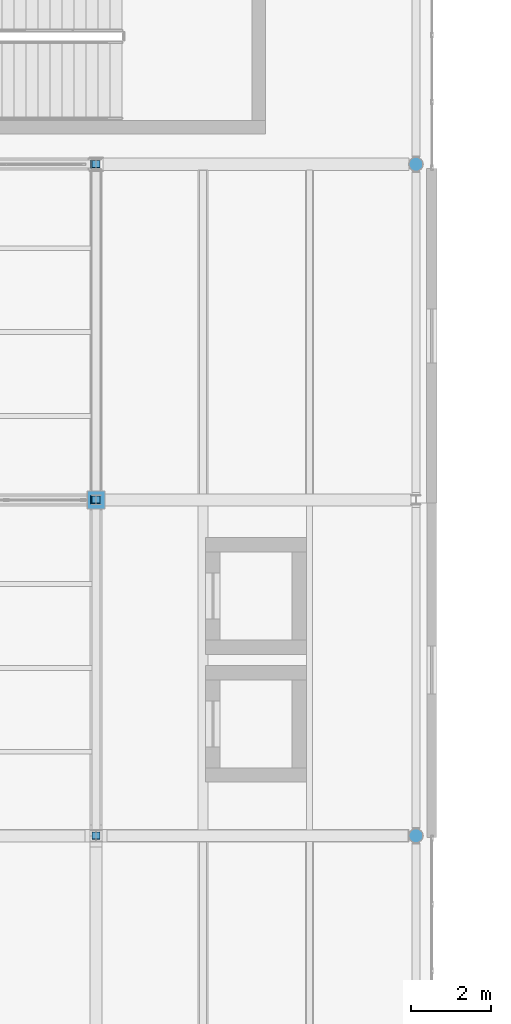
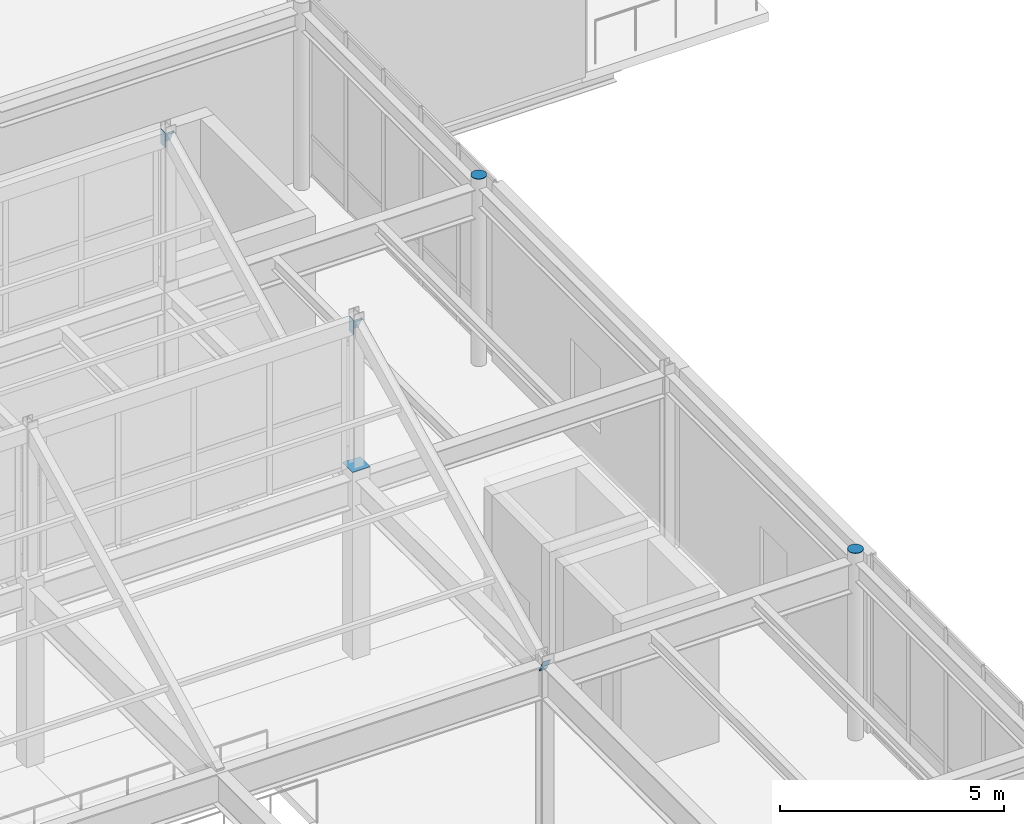
# One storey, part 77 of 91: 8 discrete accessories.
"""IFC4 building model written with IfcOpenShell, lengths in metres."""

from ifc_helpers import new_model, si_unit, direction, frame, origin, origin_2d, place, context, subcontext, project, spatial, rectangle, circle, extrude, material, type_object, element, save


model = new_model("IFC4")

# Units and contexts
model_context = context("Model", 3, precision=1e-05, world=origin(), true_north=direction((0.0, 1.0)))
body_context = subcontext(model_context, "Body", "Model", "MODEL_VIEW")
ifc_project = project(units=[si_unit("LENGTHUNIT", "METRE"), si_unit("AREAUNIT", "SQUARE_METRE"), si_unit("VOLUMEUNIT", "CUBIC_METRE"), si_unit("PLANEANGLEUNIT", "RADIAN"), si_unit("MASSUNIT", "GRAM", prefix="KILO"), si_unit("THERMODYNAMICTEMPERATUREUNIT", "KELVIN")], contexts=[model_context])

# Site, building, storey
site_placement = place(None, origin())
site = spatial("IfcSite", under=ifc_project, at=site_placement, CompositionType="ELEMENT")
building_placement = place(site_placement, origin())
building = spatial("IfcBuilding", under=site, at=building_placement, Name="Lustrewick Department Store", CompositionType="ELEMENT")
storey_placement = place(building_placement, frame((0.0, 0.0, 21.60009765625)))
storey = spatial("IfcBuildingStorey", under=building, at=storey_placement, Name="L05", CompositionType="ELEMENT", Elevation=21.60009765625)

# Discrete accessories
ifc_material = material(Name="Structural steel Q355C", Category="steel")
discrete_accessory_type = type_object("IfcDiscreteAccessoryType", Name="ECP-01", PredefinedType="USERDEFINED", material=ifc_material)
discrete_accessory_1_placement = place(storey_placement, frame((150.800048828125, 42.0, 5.09375), z_axis=(0.0, 0.0, 1.0), x_axis=(1.0, 0.0, 0.0)))
element("IfcDiscreteAccessory", 1, at=discrete_accessory_1_placement, inside=storey, type_object=discrete_accessory_type, Name="L05 Welded Hollow-Section End-Cap Plate ECP-01", ObjectType="END_CAP_PLATE", PredefinedType="USERDEFINED", context=body_context, shape_type="SweptSolid", body=[
    extrude(circle(Radius=0.177978515625, at=origin_2d()), origin(), (0.0, 0.0, 1.0), 0.01611328125),
])
discrete_accessory_2_placement = place(storey_placement, frame((142.800048828125, 33.60009765625, 5.09375), z_axis=(0.0, 0.0, 1.0), x_axis=(1.0, 0.0, 0.0)))
element("IfcDiscreteAccessory", 2, at=discrete_accessory_2_placement, inside=storey, type_object=discrete_accessory_type, Name="L05 Welded Hollow-Section End-Cap Plate ECP-01", ObjectType="END_CAP_PLATE", PredefinedType="USERDEFINED", context=body_context, shape_type="SweptSolid", body=[
    extrude(rectangle(XDim=0.449951171875, YDim=0.449951171875, at=origin_2d()), origin(), (0.0, 0.0, 1.0), 0.01611328125),
])
for number, where, z_axis, x_axis, name in (
    (3, (142.800048828125, 33.5947265625, 8.937255859375), (0.0, 0.89443239007, 0.447203197209), (-1.0, 0.0, 0.0), "L05 Welded Hollow-Section End-Cap Plate ECP-01"),
    (4, (142.800048828125, 25.205322265625, 4.74267578125), (0.0, -0.89443239007, -0.447203197209), (-1.0, 0.0, 0.0), "L05 Welded Hollow-Section End-Cap Plate ECP-01"),
    (5, (142.800048828125, 41.99462890625, 8.937255859375), (0.0, 0.894427191, 0.4472135955), (-1.0, 0.0, 0.0), "L05 Welded Hollow-Section End-Cap Plate ECP-01"),
):
    element("IfcDiscreteAccessory", number, at=place(storey_placement, frame(where, z_axis=z_axis, x_axis=x_axis)), inside=storey, type_object=discrete_accessory_type, Name=name, ObjectType="END_CAP_PLATE", PredefinedType="USERDEFINED", context=body_context, shape_type="SweptSolid", body=[
        extrude(rectangle(XDim=0.199951171875, YDim=0.39990234375, at=origin_2d()), origin(), (0.0, 0.0, 1.0), 0.01611328125),
    ])
discrete_accessory_3_placement = place(storey_placement, frame((150.800048828125, 25.199951171875, 5.09375), z_axis=(0.0, 0.0, 1.0), x_axis=(1.0, 0.0, 0.0)))
element("IfcDiscreteAccessory", 6, at=discrete_accessory_3_placement, inside=storey, type_object=discrete_accessory_type, Name="L05 Welded Hollow-Section End-Cap Plate ECP-01", ObjectType="END_CAP_PLATE", PredefinedType="USERDEFINED", context=body_context, shape_type="SweptSolid", body=[
    extrude(circle(Radius=0.177978515625, at=origin_2d()), origin(), (0.0, 0.0, 1.0), 0.01611328125),
])
for number, where, z_axis, x_axis, name in (
    (7, (142.663818359375, 33.60009765625, 8.93994140625), (1.0, 0.0, 0.0), (0.0, 1.0, 0.0), "L05 Welded Hollow-Section End-Cap Plate ECP-01"),
    (8, (142.663818359375, 42.0, 8.93994140625), (1.0, 0.0, 0.0), (0.0, 1.0, 0.0), "L05 Welded Hollow-Section End-Cap Plate ECP-01"),
):
    element("IfcDiscreteAccessory", number, at=place(storey_placement, frame(where, z_axis=z_axis, x_axis=x_axis)), inside=storey, type_object=discrete_accessory_type, Name=name, ObjectType="END_CAP_PLATE", PredefinedType="USERDEFINED", context=body_context, shape_type="SweptSolid", body=[
        extrude(rectangle(XDim=0.199951171875, YDim=0.39990234375, at=origin_2d()), origin(), (0.0, 0.0, 1.0), 0.01611328125),
    ])

save(model, "model.ifc")
